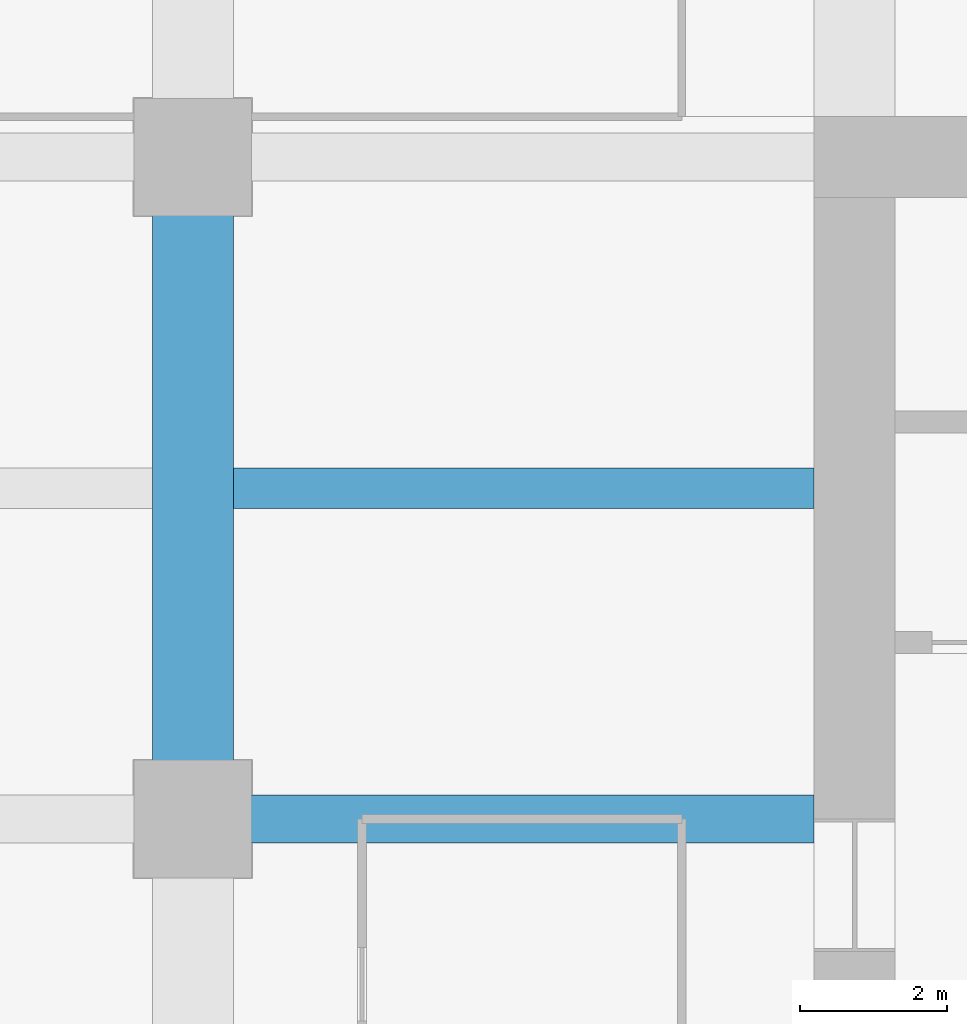
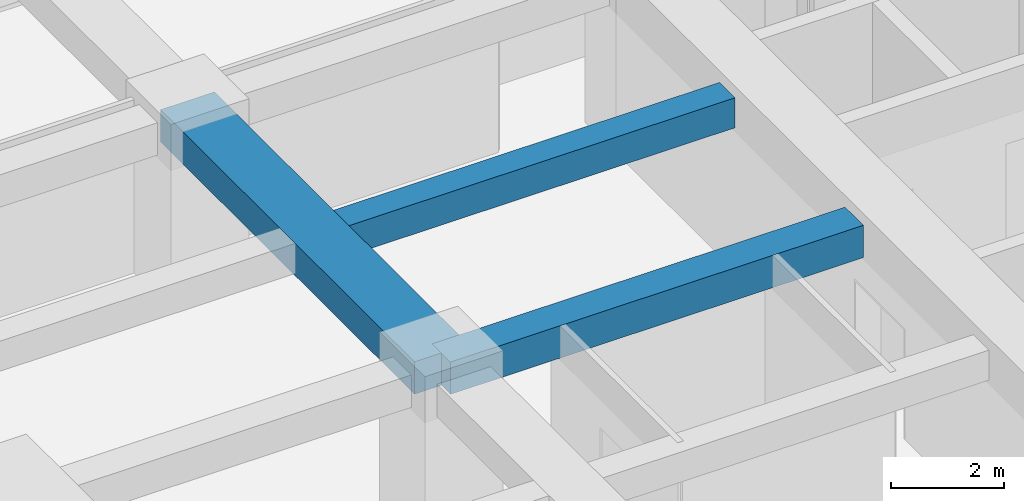
# One storey, part 12 of 34: 3 beams.
"""IFC4 building model written with IfcOpenShell, lengths in metres."""

from ifc_helpers import new_model, si_unit, direction, frame, origin, origin_2d, place, context, subcontext, project, spatial, rectangle, extrude, material, material_profile, profile_set, type_object, element, save


model = new_model("IFC4")

# Units and contexts
model_context = context("Model", 3, precision=1e-05, world=origin(), true_north=direction((0.0, 1.0)))
body_context = subcontext(model_context, "Body", "Model", "MODEL_VIEW")
ifc_project = project(units=[si_unit("LENGTHUNIT", "METRE"), si_unit("AREAUNIT", "SQUARE_METRE"), si_unit("VOLUMEUNIT", "CUBIC_METRE"), si_unit("PLANEANGLEUNIT", "RADIAN"), si_unit("MASSUNIT", "GRAM", prefix="KILO")], contexts=[model_context])

# Site, building, storey
site_placement = place(None, origin())
site = spatial("IfcSite", under=ifc_project, at=site_placement, CompositionType="ELEMENT")
building_placement = place(site_placement, origin())
building = spatial("IfcBuilding", under=site, at=building_placement, Name="Zorevar Civic Tower", CompositionType="ELEMENT")
storey_placement = place(building_placement, frame((0.0, 0.0, 174.199951171875)))
storey = spatial("IfcBuildingStorey", under=building, at=storey_placement, Name="L42", CompositionType="ELEMENT", Elevation=174.199951171875)

# Beams
ifc_material_1 = material(Name="Concrete C50/60", Category="concrete")
ifc_material_profile_1 = material_profile(ifc_material_1, rectangle(XDim=1.10009765625, YDim=0.699951171875, at=origin_2d()), Name="RC 1100x700")
ifc_profile_set_1 = profile_set([ifc_material_profile_1], Name="Concrete C50/60")
beam_type_1 = type_object("IfcBeamType", Name="Beam RC 1100x700", PredefinedType="BEAM", material=ifc_profile_set_1)
beam_1_placement = place(storey_placement, frame((9.0, 27.0, 3.400146484375), z_axis=(0.0, 1.0, 0.0), x_axis=(-1.0, 0.0, 0.0)))
element("IfcBeam", 1, at=beam_1_placement, inside=storey, type_object=beam_type_1, Name="Girder L43", PredefinedType="BEAM", context=body_context, shape_type="SweptSolid", body=[
    extrude(rectangle(XDim=1.10009765625, YDim=0.699951171875, at=origin_2d()), origin(), (0.0, 0.0, 1.0), 9.0),
])
ifc_material_2 = material(Name="Concrete C50/60", Category="concrete")
ifc_material_profile_2 = material_profile(ifc_material_2, rectangle(XDim=0.550048828125, YDim=0.64990234375, at=origin_2d()), Name="RC 550x650")
ifc_profile_set_2 = profile_set([ifc_material_profile_2], Name="Concrete C50/60")
beam_type_2 = type_object("IfcBeamType", Name="Beam RC 550x650", PredefinedType="BEAM", material=ifc_profile_set_2)
beam_2_placement = place(storey_placement, frame((9.550048828125, 31.5, 3.425048828125), z_axis=(1.0, 0.0, 0.0), x_axis=(0.0, 1.0, 0.0)))
element("IfcBeam", 2, at=beam_2_placement, inside=storey, type_object=beam_type_2, Name="Secondary beam L43", PredefinedType="BEAM", context=body_context, shape_type="SweptSolid", body=[
    extrude(rectangle(XDim=0.550048828125, YDim=0.64990234375, at=origin_2d()), origin(), (0.0, 0.0, 1.0), 7.89990234375),
])
ifc_material_3 = material(Name="Concrete C50/60", Category="concrete")
ifc_material_profile_3 = material_profile(ifc_material_3, rectangle(XDim=0.64990234375, YDim=0.699951171875, at=origin_2d()), Name="RC 650x700")
ifc_profile_set_3 = profile_set([ifc_material_profile_3], Name="Concrete C50/60")
beam_type_3 = type_object("IfcBeamType", Name="Beam RC 650x700", PredefinedType="BEAM", material=ifc_profile_set_3)
beam_3_placement = place(storey_placement, frame((9.0, 27.0, 3.400146484375), z_axis=(1.0, 0.0, 0.0), x_axis=(0.0, 1.0, 0.0)))
element("IfcBeam", 3, at=beam_3_placement, inside=storey, type_object=beam_type_3, Name="Girder L43", PredefinedType="BEAM", context=body_context, shape_type="SweptSolid", body=[
    extrude(rectangle(XDim=0.64990234375, YDim=0.699951171875, at=origin_2d()), origin(), (0.0, 0.0, 1.0), 8.449951171875),
])

save(model, "model.ifc")
